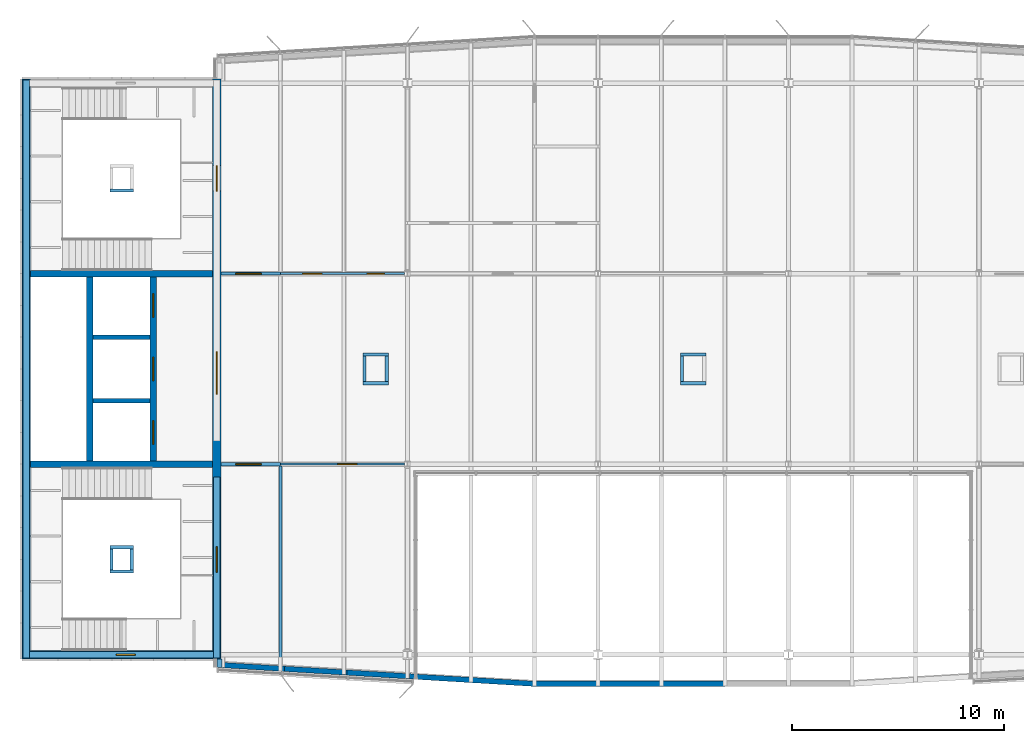
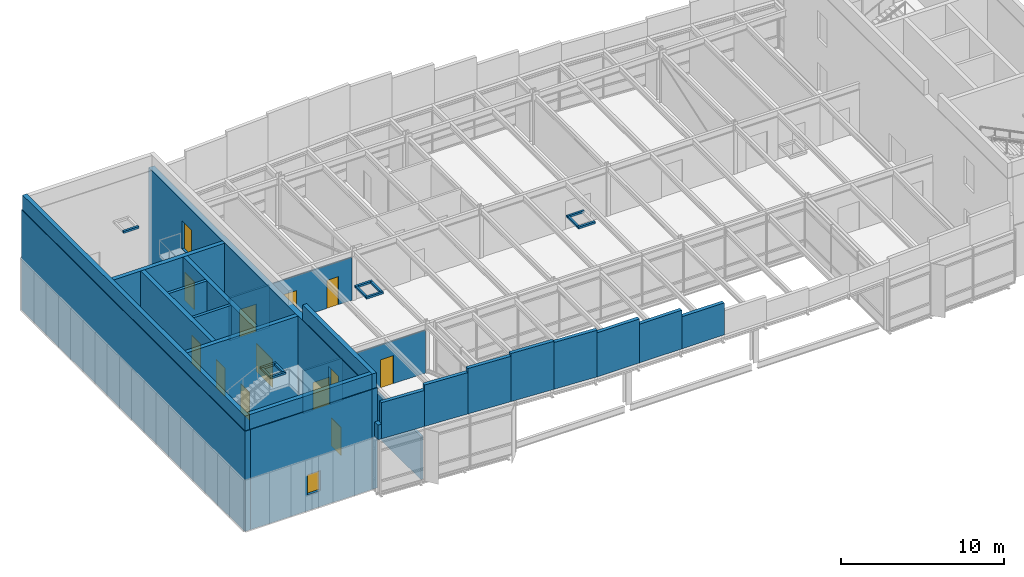
# One storey, part 17 of 23: 38 walls, 13 doors, 1 window, 14 openings.
"""IFC4 building model written with IfcOpenShell, lengths in metres."""

from ifc_helpers import new_model, si_unit, direction, frame, frame_2d, origin, place, context, subcontext, project, spatial, rectangle, extrude, material, layer, layer_set, type_object, element, fill, save


model = new_model("IFC4")

# Units and contexts
model_context = context("Model", 3, precision=1e-05, world=origin(), true_north=direction((0.0, 1.0)))
body_context = subcontext(model_context, "Body", "Model", "MODEL_VIEW")
ifc_project = project(units=[si_unit("LENGTHUNIT", "METRE"), si_unit("AREAUNIT", "SQUARE_METRE"), si_unit("VOLUMEUNIT", "CUBIC_METRE"), si_unit("PLANEANGLEUNIT", "RADIAN"), si_unit("MASSUNIT", "GRAM", prefix="KILO")], contexts=[model_context])

# Site, building, storey
site_placement = place(None, origin())
site = spatial("IfcSite", under=ifc_project, at=site_placement, CompositionType="ELEMENT")
building_placement = place(site_placement, origin())
building = spatial("IfcBuilding", under=site, at=building_placement, Name="Azimuth Sports and Learning Centre", CompositionType="ELEMENT")
storey_placement = place(building_placement, frame((0.0, 0.0, 75.300048828125)))
storey = spatial("IfcBuildingStorey", under=building, at=storey_placement, Name="L17", CompositionType="ELEMENT", Elevation=75.300048828125)

# Walls
ifc_material_1 = material(Name="Dense masonry blockwork", Category="masonry")
ifc_layer_1 = layer(ifc_material_1, 0.199951171875)
ifc_layer_set_1 = layer_set([ifc_layer_1], Name="Dense masonry blockwork")
wall_type_1 = type_object("IfcWallType", Name="Blockwork wall 200 EI 120", PredefinedType="SOLIDWALL", material=ifc_layer_set_1)
for number, where, z_axis, x_axis, name in (
    (1, (57.14990234375, 102.0, 0.0), (0.0, 0.0, 1.0), (1.0, 0.0, 0.0), "SD-W-1-L17"),
    (2, (57.14990234375, 105.0, 0.0), (0.0, 0.0, 1.0), (1.0, 0.0, 0.0), "SD-W-2-L17"),
):
    element("IfcWall", number, at=place(storey_placement, frame(where, z_axis=z_axis, x_axis=x_axis)), inside=storey, type_object=wall_type_1, Name=name, PredefinedType="SOLIDWALL", context=body_context, shape_type="SweptSolid", body=[
        extrude(rectangle(XDim=2.7001953125, YDim=0.199951171875, at=frame_2d((1.35009765625, 0.0))), origin(), (0.0, 0.0, 1.0), 7.5),
    ])
ifc_material_2 = material(Name="Reinforced masonry parapet", Category="masonry")
ifc_layer_2 = layer(ifc_material_2, 0.25)
ifc_layer_set_2 = layer_set([ifc_layer_2], Name="Reinforced masonry parapet")
wall_type_2 = type_object("IfcWallType", Name="Parapet wall 250", PredefinedType="PARAPET", material=ifc_layer_set_2)
wall_1_placement = place(storey_placement, frame((63.125, 89.800048828125, 3.89990234375), z_axis=(0.0, 0.0, 1.0), x_axis=(0.0, -1.0, 0.0)))
element("IfcWall", 3, at=wall_1_placement, inside=storey, type_object=wall_type_2, Name="Parapet W-RET-S", PredefinedType="PARAPET", context=body_context, shape_type="SweptSolid", body=[
    extrude(rectangle(XDim=0.414794921875, YDim=0.25, at=frame_2d((0.20751953125, 0.0))), origin(), (0.0, 0.0, 1.0), 1.10009765625),
])
wall_2_placement = place(storey_placement, frame((63.249755859375, 89.51025390625, 3.89990234375), z_axis=(0.0, 0.0, 1.0), x_axis=(0.998206819367, -0.059859383295, 0.0)))
element("IfcWall", 4, at=wall_2_placement, inside=storey, type_object=wall_type_2, Name="Parapet S-TOWER-1 1", PredefinedType="PARAPET", context=body_context, shape_type="SweptSolid", body=[
    extrude(rectangle(XDim=2.95703125, YDim=0.25, at=frame_2d((1.478515625, 0.0))), origin(), (0.0, 0.0, 1.0), 2.699951171875),
])
wall_3_placement = place(storey_placement, frame((66.201416015625, 89.333251953125, 3.89990234375), z_axis=(0.0, 0.0, 1.0), x_axis=(0.998201585904, -0.059946592056, 0.0)))
element("IfcWall", 5, at=wall_3_placement, inside=storey, type_object=wall_type_2, Name="Parapet S-TOWER-1 2", PredefinedType="PARAPET", context=body_context, shape_type="SweptSolid", body=[
    extrude(rectangle(XDim=2.956787109375, YDim=0.25, at=frame_2d((1.478515625, 0.0))), origin(), (0.0, 0.0, 1.0), 3.10009765625),
])
wall_4_placement = place(storey_placement, frame((69.15283203125, 89.156005859375, 3.89990234375), z_axis=(0.0, 0.0, 1.0), x_axis=(0.998206819367, -0.059859383295, 0.0)))
element("IfcWall", 6, at=wall_4_placement, inside=storey, type_object=wall_type_2, Name="Parapet S-TOWER-1 3", PredefinedType="PARAPET", context=body_context, shape_type="SweptSolid", body=[
    extrude(rectangle(XDim=2.95703125, YDim=0.25, at=frame_2d((1.478515625, 0.0))), origin(), (0.0, 0.0, 1.0), 3.400146484375),
])
wall_5_placement = place(storey_placement, frame((72.1044921875, 88.97900390625, 3.89990234375), z_axis=(0.0, 0.0, 1.0), x_axis=(0.998201585904, -0.059946592056, 0.0)))
element("IfcWall", 7, at=wall_5_placement, inside=storey, type_object=wall_type_2, Name="Parapet S-TOWER-1 4", PredefinedType="PARAPET", context=body_context, shape_type="SweptSolid", body=[
    extrude(rectangle(XDim=2.956787109375, YDim=0.25, at=frame_2d((1.478515625, 0.0))), origin(), (0.0, 0.0, 1.0), 3.60009765625),
])
wall_6_placement = place(storey_placement, frame((75.055908203125, 88.8017578125, 3.89990234375), z_axis=(0.0, 0.0, 1.0), x_axis=(0.998206819367, -0.059859383295, 0.0)))
element("IfcWall", 8, at=wall_6_placement, inside=storey, type_object=wall_type_2, Name="Parapet S-TOWER-1 5", PredefinedType="PARAPET", context=body_context, shape_type="SweptSolid", body=[
    extrude(rectangle(XDim=2.95703125, YDim=0.25, at=frame_2d((1.478515625, 0.0))), origin(), (0.0, 0.0, 1.0), 3.5),
])
wall_7_placement = place(storey_placement, frame((78.00390625, 88.625, 3.89990234375), z_axis=(0.0, 0.0, 1.0), x_axis=(1.0, 0.0, 0.0)))
element("IfcWall", 9, at=wall_7_placement, inside=storey, type_object=wall_type_2, Name="Parapet S-TOWER-2 1", PredefinedType="PARAPET", context=body_context, shape_type="SweptSolid", body=[
    extrude(rectangle(XDim=2.999267578125, YDim=0.25, at=frame_2d((1.49951171875, 0.0))), origin(), (0.0, 0.0, 1.0), 3.300048828125),
])
wall_8_placement = place(storey_placement, frame((81.003173828125, 88.625, 3.89990234375), z_axis=(0.0, 0.0, 1.0), x_axis=(1.0, 0.0, 0.0)))
element("IfcWall", 10, at=wall_8_placement, inside=storey, type_object=wall_type_2, Name="Parapet S-TOWER-2 2", PredefinedType="PARAPET", context=body_context, shape_type="SweptSolid", body=[
    extrude(rectangle(XDim=2.9990234375, YDim=0.25, at=frame_2d((1.49951171875, 0.0))), origin(), (0.0, 0.0, 1.0), 2.900146484375),
])
wall_9_placement = place(storey_placement, frame((84.002197265625, 88.625, 3.89990234375), z_axis=(0.0, 0.0, 1.0), x_axis=(1.0, 0.0, 0.0)))
element("IfcWall", 11, at=wall_9_placement, inside=storey, type_object=wall_type_2, Name="Parapet S-TOWER-2 3", PredefinedType="PARAPET", context=body_context, shape_type="SweptSolid", body=[
    extrude(rectangle(XDim=2.999267578125, YDim=0.25, at=frame_2d((1.49951171875, 0.0))), origin(), (0.0, 0.0, 1.0), 2.400146484375),
])
ifc_material_3 = material(Name="Reinforced masonry parapet", Category="masonry")
ifc_layer_3 = layer(ifc_material_3, 0.300048828125)
ifc_layer_set_3 = layer_set([ifc_layer_3], Name="Reinforced masonry parapet")
wall_type_3 = type_object("IfcWallType", Name="Parapet wall 300", PredefinedType="PARAPET", material=ifc_layer_set_3)
wall_10_placement = place(storey_placement, frame((54.0, 89.85009765625, 7.5), z_axis=(0.0, 0.0, 1.0), x_axis=(0.0, 1.0, 0.0)))
element("IfcWall", 12, at=wall_10_placement, inside=storey, type_object=wall_type_3, Name="Crown parapet W W", PredefinedType="PARAPET", context=body_context, shape_type="SweptSolid", body=[
    extrude(rectangle(XDim=27.2998046875, YDim=0.300048828125, at=frame_2d((13.64990234375, 0.0))), origin(), (0.0, 0.0, 1.0), 1.099853515625),
])
wall_11_placement = place(storey_placement, frame((63.0, 89.85009765625, 7.5), z_axis=(0.0, 0.0, 1.0), x_axis=(0.0, 1.0, 0.0)))
element("IfcWall", 13, at=wall_11_placement, inside=storey, type_object=wall_type_3, Name="Crown parapet W E 1", PredefinedType="PARAPET", context=body_context, shape_type="SweptSolid", body=[
    extrude(rectangle(XDim=8.5498046875, YDim=0.300048828125, at=frame_2d((4.27490234375, 0.0))), origin(), (0.0, 0.0, 1.0), 1.099853515625),
])
wall_12_placement = place(storey_placement, frame((54.14990234375, 90.0, 7.5), z_axis=(0.0, 0.0, 1.0), x_axis=(1.0, 0.0, 0.0)))
element("IfcWall", 14, at=wall_12_placement, inside=storey, type_object=wall_type_3, Name="Crown parapet W S", PredefinedType="PARAPET", context=body_context, shape_type="SweptSolid", body=[
    extrude(rectangle(XDim=8.7001953125, YDim=0.300048828125, at=frame_2d((4.35009765625, 0.0))), origin(), (0.0, 0.0, 1.0), 1.099853515625),
])

# Wall, opening, door
ifc_material_4 = material(Name="Gypsum board on steel studs", Category="steel")
ifc_layer_4 = layer(ifc_material_4, 0.10009765625)
ifc_layer_set_4 = layer_set([ifc_layer_4], Name="Gypsum board on steel studs")
wall_type_4 = type_object("IfcWallType", Name="Partition 100 EI 30", PredefinedType="PARTITIONING", material=ifc_layer_set_4)
wall_13_placement = place(storey_placement, frame((66.0, 99.0, 0.0), z_axis=(0.0, 0.0, 1.0), x_axis=(1.0, 0.0, 0.0)))
wall_13 = element("IfcWall", 15, at=wall_13_placement, inside=storey, type_object=wall_type_4, Name="Partition Faculty Meeting Room 17.07 / Learning Street", PredefinedType="PARTITIONING", context=body_context, shape_type="SweptSolid", body=[
    extrude(rectangle(XDim=5.8701171875, YDim=0.10009765625, at=frame_2d((2.93505859375, 0.0))), origin(), (0.0, 0.0, 1.0), 3.199951171875),
])
opening_1_placement = place(wall_13_placement, frame((2.699951171875, 0.0, 0.0)))
opening_1 = element("IfcOpeningElement", 16, at=opening_1_placement, cuts=wall_13, Name="Opening D17-019", PredefinedType="OPENING", context=body_context, shape_type="SweptSolid", body=[
    extrude(rectangle(XDim=0.89990234375, YDim=2.10009765625, at=frame_2d((0.449951171875, 1.050048828125))), frame((0.0, 0.06103515625, 0.0), z_axis=(0.0, -1.0, 0.0), x_axis=(1.0, 0.0, 0.0)), (0.0, 0.0, 1.0), 0.1220703125),
])
ifc_material_5 = material(Name="Painted steel door set", Category="steel")
door_type_1 = type_object("IfcDoorType", Name="Fire door FD30S 900 x 2100", OperationType="NOTDEFINED", PredefinedType="DOOR", material=ifc_material_5)
door_1_placement = place(opening_1_placement, frame((0.89990234375, 0.0, 0.0), z_axis=(0.0, 0.0, 1.0), x_axis=(-1.0, 0.0, 0.0)))
door_1 = element("IfcDoor", 17, at=door_1_placement, inside=storey, type_object=door_type_1, Name="Door Faculty Meeting Room 17.07 / Learning Street", OperationType="SINGLE_SWING_LEFT", OverallHeight=2.10009765625, OverallWidth=0.89990234375, PredefinedType="DOOR", context=body_context, shape_type="SweptSolid", body=[
    extrude(rectangle(XDim=0.89990234375, YDim=2.10009765625, at=frame_2d((0.449951171875, 1.050048828125))), frame((0.0, 0.02490234375, 0.0), z_axis=(0.0, -1.0, 0.0), x_axis=(1.0, 0.0, 0.0)), (0.0, 0.0, 1.0), 0.050048828125),
])
fill(opening_1, door_1)

# Wall, openings, doors
wall_14_placement = place(storey_placement, frame((66.0, 108.0, 0.0), z_axis=(0.0, 0.0, 1.0), x_axis=(1.0, 0.0, 0.0)))
wall_14 = element("IfcWall", 18, at=wall_14_placement, inside=storey, type_object=wall_type_4, Name="Partition Reception 17.09 / Cleaner Store 17.10", PredefinedType="PARTITIONING", context=body_context, shape_type="SweptSolid", body=[
    extrude(rectangle(XDim=5.8701171875, YDim=0.10009765625, at=frame_2d((2.93505859375, 0.0))), origin(), (0.0, 0.0, 1.0), 3.199951171875),
])
opening_2_placement = place(wall_14_placement, frame((1.050048828125, 0.0, 0.0)))
opening_2 = element("IfcOpeningElement", 19, at=opening_2_placement, cuts=wall_14, Name="Opening D17-021", PredefinedType="OPENING", context=body_context, shape_type="SweptSolid", body=[
    extrude(rectangle(XDim=0.89990234375, YDim=2.10009765625, at=frame_2d((0.449951171875, 1.050048828125))), frame((0.0, 0.06103515625, 0.0), z_axis=(0.0, -1.0, 0.0), x_axis=(1.0, 0.0, 0.0)), (0.0, 0.0, 1.0), 0.1220703125),
])
opening_3_placement = place(wall_14_placement, frame((4.10009765625, 0.0, 0.0)))
opening_3 = element("IfcOpeningElement", 20, at=opening_3_placement, cuts=wall_14, Name="Opening D17-022", PredefinedType="OPENING", context=body_context, shape_type="SweptSolid", body=[
    extrude(rectangle(XDim=0.800048828125, YDim=2.10009765625, at=frame_2d((0.39990234375, 1.050048828125))), frame((0.0, 0.06103515625, 0.0), z_axis=(0.0, -1.0, 0.0), x_axis=(1.0, 0.0, 0.0)), (0.0, 0.0, 1.0), 0.1220703125),
])
ifc_material_6 = material(Name="Painted steel door set", Category="steel")
door_type_2 = type_object("IfcDoorType", Name="Fire door FD30S 800 x 2100", OperationType="NOTDEFINED", PredefinedType="DOOR", material=ifc_material_6)
door_2_placement = place(opening_3_placement, origin())
door_2 = element("IfcDoor", 21, at=door_2_placement, inside=storey, type_object=door_type_2, Name="Door Cleaner Store 17.10 / Learning Street", OperationType="SINGLE_SWING_RIGHT", OverallHeight=2.10009765625, OverallWidth=0.800048828125, PredefinedType="DOOR", context=body_context, shape_type="SweptSolid", body=[
    extrude(rectangle(XDim=0.800048828125, YDim=2.10009765625, at=frame_2d((0.39990234375, 1.050048828125))), frame((0.0, 0.02490234375, 0.0), z_axis=(0.0, -1.0, 0.0), x_axis=(1.0, 0.0, 0.0)), (0.0, 0.0, 1.0), 0.050048828125),
])
fill(opening_3, door_2)
door_3_placement = place(opening_2_placement, origin())
door_3 = element("IfcDoor", 22, at=door_3_placement, inside=storey, type_object=door_type_1, Name="Door Reception 17.09 / Learning Street", OperationType="SINGLE_SWING_RIGHT", OverallHeight=2.10009765625, OverallWidth=0.89990234375, PredefinedType="DOOR", context=body_context, shape_type="SweptSolid", body=[
    extrude(rectangle(XDim=0.89990234375, YDim=2.10009765625, at=frame_2d((0.449951171875, 1.050048828125))), frame((0.0, 0.02490234375, 0.0), z_axis=(0.0, -1.0, 0.0), x_axis=(1.0, 0.0, 0.0)), (0.0, 0.0, 1.0), 0.050048828125),
])
fill(opening_2, door_3)

# Wall, opening, door
ifc_material_7 = material(Name="Lightweight blockwork, rendered", Category="masonry")
ifc_layer_5 = layer(ifc_material_7, 0.14990234375)
ifc_layer_set_5 = layer_set([ifc_layer_5], Name="Lightweight blockwork, rendered")
wall_type_5 = type_object("IfcWallType", Name="Partition 150 EI 60", PredefinedType="PARTITIONING", material=ifc_layer_set_5)
wall_15_placement = place(storey_placement, frame((63.199951171875, 99.0, 0.0), z_axis=(0.0, 0.0, 1.0), x_axis=(1.0, 0.0, 0.0)))
wall_15 = element("IfcWall", 23, at=wall_15_placement, inside=storey, type_object=wall_type_5, Name="Partition Stair Lobby W1 17.01 / Learning Street", PredefinedType="PARTITIONING", context=body_context, shape_type="SweptSolid", body=[
    extrude(rectangle(XDim=2.800048828125, YDim=0.14990234375, at=frame_2d((1.39990234375, 0.0))), origin(), (0.0, 0.0, 1.0), 3.199951171875),
])
opening_4_placement = place(wall_15_placement, frame((0.699951171875, 0.0, 0.0)))
opening_4 = element("IfcOpeningElement", 24, at=opening_4_placement, cuts=wall_15, Name="Opening D17-015", PredefinedType="OPENING", context=body_context, shape_type="SweptSolid", body=[
    extrude(rectangle(XDim=1.199951171875, YDim=2.10009765625, at=frame_2d((0.60009765625, 1.050048828125))), frame((0.0, 0.0859375, 0.0), z_axis=(0.0, -1.0, 0.0), x_axis=(1.0, 0.0, 0.0)), (0.0, 0.0, 1.0), 0.171875),
])
ifc_material_8 = material(Name="Painted steel door set", Category="steel")
door_type_3 = type_object("IfcDoorType", Name="Fire door FD60 1200 x 2100", OperationType="NOTDEFINED", PredefinedType="DOOR", material=ifc_material_8)
door_4_placement = place(opening_4_placement, frame((1.199951171875, 0.0, 0.0), z_axis=(0.0, 0.0, 1.0), x_axis=(-1.0, 0.0, 0.0)))
door_4 = element("IfcDoor", 25, at=door_4_placement, inside=storey, type_object=door_type_3, Name="Door Stair Lobby W1 17.01 / Learning Street", OperationType="SINGLE_SWING_RIGHT", OverallHeight=2.10009765625, OverallWidth=1.199951171875, PredefinedType="DOOR", context=body_context, shape_type="SweptSolid", body=[
    extrude(rectangle(XDim=1.199951171875, YDim=2.10009765625, at=frame_2d((0.60009765625, 1.050048828125))), frame((0.0, 0.02490234375, 0.0), z_axis=(0.0, -1.0, 0.0), x_axis=(1.0, 0.0, 0.0)), (0.0, 0.0, 1.0), 0.050048828125),
])
fill(opening_4, door_4)

wall_16_placement = place(storey_placement, frame((63.199951171875, 108.0, 0.0), z_axis=(0.0, 0.0, 1.0), x_axis=(1.0, 0.0, 0.0)))
wall_16 = element("IfcWall", 26, at=wall_16_placement, inside=storey, type_object=wall_type_5, Name="Partition Stair Lobby W2 17.02 / Learning Street", PredefinedType="PARTITIONING", context=body_context, shape_type="SweptSolid", body=[
    extrude(rectangle(XDim=2.800048828125, YDim=0.14990234375, at=frame_2d((1.39990234375, 0.0))), origin(), (0.0, 0.0, 1.0), 3.199951171875),
])
opening_5_placement = place(wall_16_placement, frame((0.699951171875, 0.0, 0.0)))
opening_5 = element("IfcOpeningElement", 27, at=opening_5_placement, cuts=wall_16, Name="Opening D17-016", PredefinedType="OPENING", context=body_context, shape_type="SweptSolid", body=[
    extrude(rectangle(XDim=1.199951171875, YDim=2.10009765625, at=frame_2d((0.60009765625, 1.050048828125))), frame((0.0, 0.0859375, 0.0), z_axis=(0.0, -1.0, 0.0), x_axis=(1.0, 0.0, 0.0)), (0.0, 0.0, 1.0), 0.171875),
])
door_5_placement = place(opening_5_placement, origin())
door_5 = element("IfcDoor", 28, at=door_5_placement, inside=storey, type_object=door_type_3, Name="Door Stair Lobby W2 17.02 / Learning Street", OperationType="SINGLE_SWING_LEFT", OverallHeight=2.10009765625, OverallWidth=1.199951171875, PredefinedType="DOOR", context=body_context, shape_type="SweptSolid", body=[
    extrude(rectangle(XDim=1.199951171875, YDim=2.10009765625, at=frame_2d((0.60009765625, 1.050048828125))), frame((0.0, 0.02490234375, 0.0), z_axis=(0.0, -1.0, 0.0), x_axis=(1.0, 0.0, 0.0)), (0.0, 0.0, 1.0), 0.050048828125),
])
fill(opening_5, door_5)

# Walls
wall_17_placement = place(storey_placement, frame((66.0, 89.219970703125, 0.0), z_axis=(0.0, 0.0, 1.0), x_axis=(0.0, 1.0, 0.0)))
element("IfcWall", 29, at=wall_17_placement, inside=storey, type_object=wall_type_5, Name="Partition Stair Lobby W1 17.01 / Faculty Meeting Room 17.07", PredefinedType="PARTITIONING", context=body_context, shape_type="SweptSolid", body=[
    extrude(rectangle(XDim=9.705078125, YDim=0.14990234375, at=frame_2d((4.8525390625, 0.0))), origin(), (0.0, 0.0, 1.0), 3.25),
])
ifc_material_9 = material(Name="Concrete C40/50", Category="concrete")
ifc_layer_6 = layer(ifc_material_9, 0.300048828125)
ifc_layer_set_6 = layer_set([ifc_layer_6], Name="Concrete C40/50")
wall_type_6 = type_object("IfcWallType", Name="RC core wall 300", PredefinedType="SHEAR", material=ifc_layer_set_6)
for number, where, z_axis, x_axis, name in (
    (30, (54.199951171875, 99.0, 0.0), (0.0, 0.0, 1.0), (1.0, 0.0, 0.0), "Core wall W D1 L17"),
    (31, (54.199951171875, 108.0, 0.0), (0.0, 0.0, 1.0), (1.0, 0.0, 0.0), "Core wall W D2 L17"),
):
    element("IfcWall", number, at=place(storey_placement, frame(where, z_axis=z_axis, x_axis=x_axis)), inside=storey, type_object=wall_type_6, Name=name, PredefinedType="SHEAR", context=body_context, shape_type="SweptSolid", body=[
        extrude(rectangle(XDim=8.60009765625, YDim=0.300048828125, at=frame_2d((4.300048828125, 0.0))), origin(), (0.0, 0.0, 1.0), 7.5),
    ])
wall_18_placement = place(storey_placement, frame((57.0, 99.14990234375, 0.0), z_axis=(0.0, 0.0, 1.0), x_axis=(0.0, 1.0, 0.0)))
element("IfcWall", 32, at=wall_18_placement, inside=storey, type_object=wall_type_6, Name="Core wall W LB1 L17", PredefinedType="SHEAR", context=body_context, shape_type="SweptSolid", body=[
    extrude(rectangle(XDim=8.7001953125, YDim=0.300048828125, at=frame_2d((4.35009765625, 0.0))), origin(), (0.0, 0.0, 1.0), 7.5),
])

# Wall, openings, doors
wall_19_placement = place(storey_placement, frame((60.0, 99.14990234375, 0.0), z_axis=(0.0, 0.0, 1.0), x_axis=(0.0, 1.0, 0.0)))
wall_19 = element("IfcWall", 33, at=wall_19_placement, inside=storey, type_object=wall_type_6, Name="Core wall W LB2 L17", PredefinedType="SHEAR", context=body_context, shape_type="SweptSolid", body=[
    extrude(rectangle(XDim=8.7001953125, YDim=0.300048828125, at=frame_2d((4.35009765625, 0.0))), origin(), (0.0, 0.0, 1.0), 7.5),
])
opening_6_placement = place(wall_19_placement, frame((0.800048828125, 0.0, 0.0)))
opening_6 = element("IfcOpeningElement", 34, at=opening_6_placement, cuts=wall_19, Name="Opening D17-009", PredefinedType="OPENING", context=body_context, shape_type="SweptSolid", body=[
    extrude(rectangle(XDim=1.10009765625, YDim=2.10009765625, at=frame_2d((0.550048828125, 1.050048828125))), frame((0.0, 0.1611328125, 0.0), z_axis=(0.0, -1.0, 0.0), x_axis=(1.0, 0.0, 0.0)), (0.0, 0.0, 1.0), 0.322021484375),
])
opening_7_placement = place(wall_19_placement, frame((3.800048828125, 0.0, 0.0)))
opening_7 = element("IfcOpeningElement", 35, at=opening_7_placement, cuts=wall_19, Name="Opening D17-010", PredefinedType="OPENING", context=body_context, shape_type="SweptSolid", body=[
    extrude(rectangle(XDim=1.10009765625, YDim=2.10009765625, at=frame_2d((0.550048828125, 1.050048828125))), frame((0.0, 0.1611328125, 0.0), z_axis=(0.0, -1.0, 0.0), x_axis=(1.0, 0.0, 0.0)), (0.0, 0.0, 1.0), 0.322021484375),
])
opening_8_placement = place(wall_19_placement, frame((6.800048828125, 0.0, 0.0)))
opening_8 = element("IfcOpeningElement", 36, at=opening_8_placement, cuts=wall_19, Name="Opening D17-011", PredefinedType="OPENING", context=body_context, shape_type="SweptSolid", body=[
    extrude(rectangle(XDim=1.10009765625, YDim=2.10009765625, at=frame_2d((0.550048828125, 1.050048828125))), frame((0.0, 0.1611328125, 0.0), z_axis=(0.0, -1.0, 0.0), x_axis=(1.0, 0.0, 0.0)), (0.0, 0.0, 1.0), 0.322021484375),
])
ifc_material_10 = material(Name="Stainless steel", Category="steel")
door_type_4 = type_object("IfcDoorType", Name="Lift landing door 1100 x 2100", OperationType="DOUBLE_DOOR_SLIDING", PredefinedType="DOOR", material=ifc_material_10)
door_6_placement = place(opening_6_placement, origin())
door_6 = element("IfcDoor", 37, at=door_6_placement, inside=storey, type_object=door_type_4, Name="Landing door LW1 L17", OperationType="DOUBLE_DOOR_SLIDING", OverallHeight=2.10009765625, OverallWidth=1.10009765625, PredefinedType="DOOR", context=body_context, shape_type="SweptSolid", body=[
    extrude(rectangle(XDim=1.10009765625, YDim=2.10009765625, at=frame_2d((0.550048828125, 1.050048828125))), frame((0.0, 0.02490234375, 0.0), z_axis=(0.0, -1.0, 0.0), x_axis=(1.0, 0.0, 0.0)), (0.0, 0.0, 1.0), 0.050048828125),
])
fill(opening_6, door_6)
door_7_placement = place(opening_7_placement, origin())
door_7 = element("IfcDoor", 38, at=door_7_placement, inside=storey, type_object=door_type_4, Name="Landing door LW2 L17", OperationType="DOUBLE_DOOR_SLIDING", OverallHeight=2.10009765625, OverallWidth=1.10009765625, PredefinedType="DOOR", context=body_context, shape_type="SweptSolid", body=[
    extrude(rectangle(XDim=1.10009765625, YDim=2.10009765625, at=frame_2d((0.550048828125, 1.050048828125))), frame((0.0, 0.02490234375, 0.0), z_axis=(0.0, -1.0, 0.0), x_axis=(1.0, 0.0, 0.0)), (0.0, 0.0, 1.0), 0.050048828125),
])
fill(opening_7, door_7)
door_8_placement = place(opening_8_placement, origin())
door_8 = element("IfcDoor", 39, at=door_8_placement, inside=storey, type_object=door_type_4, Name="Landing door LW3 L17", OperationType="DOUBLE_DOOR_SLIDING", OverallHeight=2.10009765625, OverallWidth=1.10009765625, PredefinedType="DOOR", context=body_context, shape_type="SweptSolid", body=[
    extrude(rectangle(XDim=1.10009765625, YDim=2.10009765625, at=frame_2d((0.550048828125, 1.050048828125))), frame((0.0, 0.02490234375, 0.0), z_axis=(0.0, -1.0, 0.0), x_axis=(1.0, 0.0, 0.0)), (0.0, 0.0, 1.0), 0.050048828125),
])
fill(opening_8, door_8)

ifc_material_11 = material(Name="Concrete C40/50", Category="concrete")
ifc_layer_7 = layer(ifc_material_11, 0.39990234375)
ifc_layer_set_7 = layer_set([ifc_layer_7], Name="Concrete C40/50")
wall_type_7 = type_object("IfcWallType", Name="RC core wall 400", PredefinedType="SHEAR", material=ifc_layer_set_7)
wall_20_placement = place(storey_placement, frame((63.0, 89.800048828125, 0.0), z_axis=(0.0, 0.0, 1.0), x_axis=(0.0, 1.0, 0.0)))
wall_20 = element("IfcWall", 40, at=wall_20_placement, inside=storey, type_object=wall_type_7, Name="Core wall W E L17", PredefinedType="SHEAR", context=body_context, shape_type="SweptSolid", body=[
    extrude(rectangle(XDim=27.39990234375, YDim=0.39990234375, at=frame_2d((13.699951171875, 0.0))), origin(), (0.0, 0.0, 1.0), 7.5),
])
opening_9_placement = place(wall_20_placement, frame((4.10009765625, 0.0, 0.0)))
opening_9 = element("IfcOpeningElement", 41, at=opening_9_placement, cuts=wall_20, Name="Opening D17-001", PredefinedType="OPENING", context=body_context, shape_type="SweptSolid", body=[
    extrude(rectangle(XDim=1.199951171875, YDim=2.10009765625, at=frame_2d((0.60009765625, 1.050048828125))), frame((0.0, 0.2109375, 0.0), z_axis=(0.0, -1.0, 0.0), x_axis=(1.0, 0.0, 0.0)), (0.0, 0.0, 1.0), 0.421875),
])
opening_10_placement = place(wall_20_placement, frame((4.10009765625, 0.0, 3.89990234375)))
opening_10 = element("IfcOpeningElement", 42, at=opening_10_placement, cuts=wall_20, Name="Opening D17-002", PredefinedType="OPENING", context=body_context, shape_type="SweptSolid", body=[
    extrude(rectangle(XDim=1.199951171875, YDim=2.10009765625, at=frame_2d((0.60009765625, 1.050048828125))), frame((0.0, 0.2109375, 0.0), z_axis=(0.0, -1.0, 0.0), x_axis=(1.0, 0.0, 0.0)), (0.0, 0.0, 1.0), 0.421875),
])
opening_11_placement = place(wall_20_placement, frame((22.10009765625, 0.0, 0.0)))
opening_11 = element("IfcOpeningElement", 43, at=opening_11_placement, cuts=wall_20, Name="Opening D17-003", PredefinedType="OPENING", context=body_context, shape_type="SweptSolid", body=[
    extrude(rectangle(XDim=1.199951171875, YDim=2.10009765625, at=frame_2d((0.60009765625, 1.050048828125))), frame((0.0, 0.2109375, 0.0), z_axis=(0.0, -1.0, 0.0), x_axis=(1.0, 0.0, 0.0)), (0.0, 0.0, 1.0), 0.421875),
])
opening_12_placement = place(wall_20_placement, frame((22.10009765625, 0.0, 3.89990234375)))
opening_12 = element("IfcOpeningElement", 44, at=opening_12_placement, cuts=wall_20, Name="Opening D17-004", PredefinedType="OPENING", context=body_context, shape_type="SweptSolid", body=[
    extrude(rectangle(XDim=1.199951171875, YDim=2.10009765625, at=frame_2d((0.60009765625, 1.050048828125))), frame((0.0, 0.2109375, 0.0), z_axis=(0.0, -1.0, 0.0), x_axis=(1.0, 0.0, 0.0)), (0.0, 0.0, 1.0), 0.421875),
])
opening_13_placement = place(wall_20_placement, frame((12.5, 0.0, 0.0)))
opening_13 = element("IfcOpeningElement", 45, at=opening_13_placement, cuts=wall_20, Name="Opening D17-032", PredefinedType="OPENING", context=body_context, shape_type="SweptSolid", body=[
    extrude(rectangle(XDim=2.0, YDim=2.10009765625, at=frame_2d((1.0, 1.050048828125))), frame((0.0, 0.2109375, 0.0), z_axis=(0.0, -1.0, 0.0), x_axis=(1.0, 0.0, 0.0)), (0.0, 0.0, 1.0), 0.421875),
])
ifc_material_12 = material(Name="Painted steel door set", Category="steel")
door_type_5 = type_object("IfcDoorType", Name="Fire door FD120 2000 x 2100 double leaf", OperationType="DOUBLE_DOOR_SINGLE_SWING", PredefinedType="DOOR", material=ifc_material_12)
door_9_placement = place(opening_13_placement, origin())
door_9 = element("IfcDoor", 46, at=door_9_placement, inside=storey, type_object=door_type_5, Name="Door Lift Lobby W 17.05 / Learning Street", OperationType="DOUBLE_DOOR_SINGLE_SWING", OverallHeight=2.10009765625, OverallWidth=2.0, PredefinedType="DOOR", context=body_context, shape_type="SweptSolid", body=[
    extrude(rectangle(XDim=2.0, YDim=2.10009765625, at=frame_2d((1.0, 1.050048828125))), frame((0.0, 0.02490234375, 0.0), z_axis=(0.0, -1.0, 0.0), x_axis=(1.0, 0.0, 0.0)), (0.0, 0.0, 1.0), 0.050048828125),
])
fill(opening_13, door_9)
ifc_material_13 = material(Name="Steel", Category="steel")
door_type_6 = type_object("IfcDoorType", Name="Stair fire door 1200 x 2100", OperationType="NOTDEFINED", PredefinedType="DOOR", material=ifc_material_13)
door_10_placement = place(opening_9_placement, origin())
door_10 = element("IfcDoor", 47, at=door_10_placement, inside=storey, type_object=door_type_6, Name="Stair door W1 L17", OperationType="SINGLE_SWING_LEFT", OverallHeight=2.10009765625, OverallWidth=1.199951171875, PredefinedType="DOOR", context=body_context, shape_type="SweptSolid", body=[
    extrude(rectangle(XDim=1.199951171875, YDim=2.10009765625, at=frame_2d((0.60009765625, 1.050048828125))), frame((0.0, 0.02490234375, 0.0), z_axis=(0.0, -1.0, 0.0), x_axis=(1.0, 0.0, 0.0)), (0.0, 0.0, 1.0), 0.050048828125),
])
fill(opening_9, door_10)
door_11_placement = place(opening_10_placement, frame((1.199951171875, 0.0, 0.0), z_axis=(0.0, 0.0, 1.0), x_axis=(-1.0, 0.0, 0.0)))
door_11 = element("IfcDoor", 48, at=door_11_placement, inside=storey, type_object=door_type_6, Name="Roof access door W1", OperationType="SINGLE_SWING_LEFT", OverallHeight=2.10009765625, OverallWidth=1.199951171875, PredefinedType="DOOR", context=body_context, shape_type="SweptSolid", body=[
    extrude(rectangle(XDim=1.199951171875, YDim=2.10009765625, at=frame_2d((0.60009765625, 1.050048828125))), frame((0.0, 0.02490234375, 0.0), z_axis=(0.0, -1.0, 0.0), x_axis=(1.0, 0.0, 0.0)), (0.0, 0.0, 1.0), 0.050048828125),
])
fill(opening_10, door_11)
door_12_placement = place(opening_11_placement, origin())
door_12 = element("IfcDoor", 49, at=door_12_placement, inside=storey, type_object=door_type_6, Name="Stair door W2 L17", OperationType="SINGLE_SWING_LEFT", OverallHeight=2.10009765625, OverallWidth=1.199951171875, PredefinedType="DOOR", context=body_context, shape_type="SweptSolid", body=[
    extrude(rectangle(XDim=1.199951171875, YDim=2.10009765625, at=frame_2d((0.60009765625, 1.050048828125))), frame((0.0, 0.02490234375, 0.0), z_axis=(0.0, -1.0, 0.0), x_axis=(1.0, 0.0, 0.0)), (0.0, 0.0, 1.0), 0.050048828125),
])
fill(opening_11, door_12)
door_13_placement = place(opening_12_placement, frame((1.199951171875, 0.0, 0.0), z_axis=(0.0, 0.0, 1.0), x_axis=(-1.0, 0.0, 0.0)))
door_13 = element("IfcDoor", 50, at=door_13_placement, inside=storey, type_object=door_type_6, Name="Roof access door W2", OperationType="SINGLE_SWING_RIGHT", OverallHeight=2.10009765625, OverallWidth=1.199951171875, PredefinedType="DOOR", context=body_context, shape_type="SweptSolid", body=[
    extrude(rectangle(XDim=1.199951171875, YDim=2.10009765625, at=frame_2d((0.60009765625, 1.050048828125))), frame((0.0, 0.02490234375, 0.0), z_axis=(0.0, -1.0, 0.0), x_axis=(1.0, 0.0, 0.0)), (0.0, 0.0, 1.0), 0.050048828125),
])
fill(opening_12, door_13)

# Wall, opening, window
ifc_material_14 = material(Name="Concrete C40/50", Category="concrete")
ifc_layer_8 = layer(ifc_material_14, 0.39990234375)
ifc_layer_set_8 = layer_set([ifc_layer_8], Name="Concrete C40/50")
wall_type_8 = type_object("IfcWallType", Name="RC external core wall 400", PredefinedType="SHEAR", material=ifc_layer_set_8)
wall_21_placement = place(storey_placement, frame((54.199951171875, 90.0, 0.0), z_axis=(0.0, 0.0, 1.0), x_axis=(1.0, 0.0, 0.0)))
wall_21 = element("IfcWall", 51, at=wall_21_placement, inside=storey, type_object=wall_type_8, Name="Core wall W S L17", PredefinedType="SHEAR", context=body_context, shape_type="SweptSolid", body=[
    extrude(rectangle(XDim=8.60009765625, YDim=0.39990234375, at=frame_2d((4.300048828125, 0.0))), origin(), (0.0, 0.0, 1.0), 7.5),
])
opening_14_placement = place(wall_21_placement, frame((4.050048828125, 0.0, 1.199951171875)))
opening_14 = element("IfcOpeningElement", 52, at=opening_14_placement, cuts=wall_21, Name="Opening W17-001", PredefinedType="OPENING", context=body_context, shape_type="SweptSolid", body=[
    extrude(rectangle(XDim=0.89990234375, YDim=1.5, at=frame_2d((0.449951171875, 0.75))), frame((0.0, 0.2109375, 0.0), z_axis=(0.0, -1.0, 0.0), x_axis=(1.0, 0.0, 0.0)), (0.0, 0.0, 1.0), 0.421875),
])
ifc_material_15 = material(Name="Aluminium and glass", Category="aluminium")
window_type = type_object("IfcWindowType", Name="Stair window tower core 900x1500", PartitioningType="SINGLE_PANEL", PredefinedType="WINDOW", material=ifc_material_15)
window_placement = place(opening_14_placement, origin())
window = element("IfcWindow", 53, at=window_placement, inside=storey, type_object=window_type, Name="Window W17-001", OverallHeight=1.5, OverallWidth=0.89990234375, PartitioningType="SINGLE_PANEL", PredefinedType="WINDOW", context=body_context, shape_type="SweptSolid", body=[
    extrude(rectangle(XDim=0.89990234375, YDim=1.5, at=frame_2d((0.449951171875, 0.75))), frame((0.0, 0.030029296875, 0.0), z_axis=(0.0, -1.0, 0.0), x_axis=(1.0, 0.0, 0.0)), (0.0, 0.0, 1.0), 0.06005859375),
])
fill(opening_14, window)

# Walls
wall_22_placement = place(storey_placement, frame((54.0, 89.800048828125, 0.0), z_axis=(0.0, 0.0, 1.0), x_axis=(0.0, 1.0, 0.0)))
element("IfcWall", 54, at=wall_22_placement, inside=storey, type_object=wall_type_8, Name="Core wall W W L17", PredefinedType="SHEAR", context=body_context, shape_type="SweptSolid", body=[
    extrude(rectangle(XDim=27.39990234375, YDim=0.39990234375, at=frame_2d((13.699951171875, 0.0))), origin(), (0.0, 0.0, 1.0), 7.5),
])
ifc_material_16 = material(Name="Insulated upstand")
ifc_layer_9 = layer(ifc_material_16, 0.14990234375)
ifc_layer_set_9 = layer_set([ifc_layer_9], Name="Insulated upstand")
wall_type_9 = type_object("IfcWallType", Name="Rooflight upstand 150", PredefinedType="SOLIDWALL", material=ifc_layer_set_9)
for number, where, z_axis, x_axis, name in (
    (55, (69.89990234375, 102.824951171875, 3.89990234375), (0.0, 0.0, 1.0), (1.0, 0.0, 0.0), "Rooflight upstand S"),
    (56, (69.89990234375, 104.175048828125, 3.89990234375), (0.0, 0.0, 1.0), (1.0, 0.0, 0.0), "Rooflight upstand N"),
    (57, (69.97509765625, 102.89990234375, 3.89990234375), (0.0, 0.0, 1.0), (0.0, 1.0, 0.0), "Rooflight upstand W"),
    (58, (71.02490234375, 102.89990234375, 3.89990234375), (0.0, 0.0, 1.0), (0.0, 1.0, 0.0), "Rooflight upstand E"),
    (59, (84.89990234375, 102.824951171875, 3.89990234375), (0.0, 0.0, 1.0), (1.0, 0.0, 0.0), "Rooflight upstand S"),
    (60, (84.89990234375, 104.175048828125, 3.89990234375), (0.0, 0.0, 1.0), (1.0, 0.0, 0.0), "Rooflight upstand N"),
    (61, (84.97509765625, 102.89990234375, 3.89990234375), (0.0, 0.0, 1.0), (0.0, 1.0, 0.0), "Rooflight upstand W"),
):
    element("IfcWall", number, at=place(storey_placement, frame(where, z_axis=z_axis, x_axis=x_axis)), inside=storey, type_object=wall_type_9, Name=name, PredefinedType="SOLIDWALL", context=body_context, shape_type="SweptSolid", body=[
        extrude(rectangle(XDim=1.2001953125, YDim=0.14990234375, at=frame_2d((0.60009765625, 0.0))), origin(), (0.0, 0.0, 1.0), 0.150146484375),
    ])
for number, where, z_axis, x_axis, name in (
    (62, (57.949951171875, 93.925048828125, 7.5), (0.0, 0.0, 1.0), (1.0, 0.0, 0.0), "Rooflight upstand S"),
    (63, (57.949951171875, 95.074951171875, 7.5), (0.0, 0.0, 1.0), (1.0, 0.0, 0.0), "Rooflight upstand N"),
):
    element("IfcWall", number, at=place(storey_placement, frame(where, z_axis=z_axis, x_axis=x_axis)), inside=storey, type_object=wall_type_9, Name=name, PredefinedType="SOLIDWALL", context=body_context, shape_type="SweptSolid", body=[
        extrude(rectangle(XDim=1.10009765625, YDim=0.14990234375, at=frame_2d((0.550048828125, 0.0))), origin(), (0.0, 0.0, 1.0), 0.14990234375),
    ])
for number, where, z_axis, x_axis, name in (
    (64, (58.02490234375, 94.0, 7.5), (0.0, 0.0, 1.0), (0.0, 1.0, 0.0), "Rooflight upstand W"),
    (65, (58.97509765625, 94.0, 7.5), (0.0, 0.0, 1.0), (0.0, 1.0, 0.0), "Rooflight upstand E"),
):
    element("IfcWall", number, at=place(storey_placement, frame(where, z_axis=z_axis, x_axis=x_axis)), inside=storey, type_object=wall_type_9, Name=name, PredefinedType="SOLIDWALL", context=body_context, shape_type="SweptSolid", body=[
        extrude(rectangle(XDim=1.0, YDim=0.14990234375, at=frame_2d((0.5, 0.0))), origin(), (0.0, 0.0, 1.0), 0.14990234375),
    ])
wall_23_placement = place(storey_placement, frame((57.949951171875, 111.925048828125, 7.5), z_axis=(0.0, 0.0, 1.0), x_axis=(1.0, 0.0, 0.0)))
element("IfcWall", 66, at=wall_23_placement, inside=storey, type_object=wall_type_9, Name="Rooflight upstand S", PredefinedType="SOLIDWALL", context=body_context, shape_type="SweptSolid", body=[
    extrude(rectangle(XDim=1.10009765625, YDim=0.14990234375, at=frame_2d((0.550048828125, 0.0))), origin(), (0.0, 0.0, 1.0), 0.14990234375),
])

save(model, "model.ifc")
